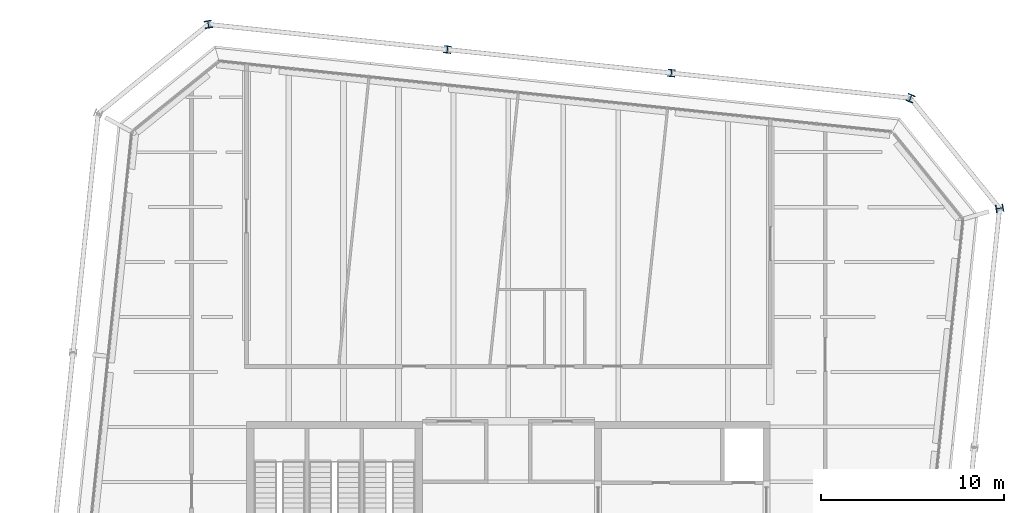
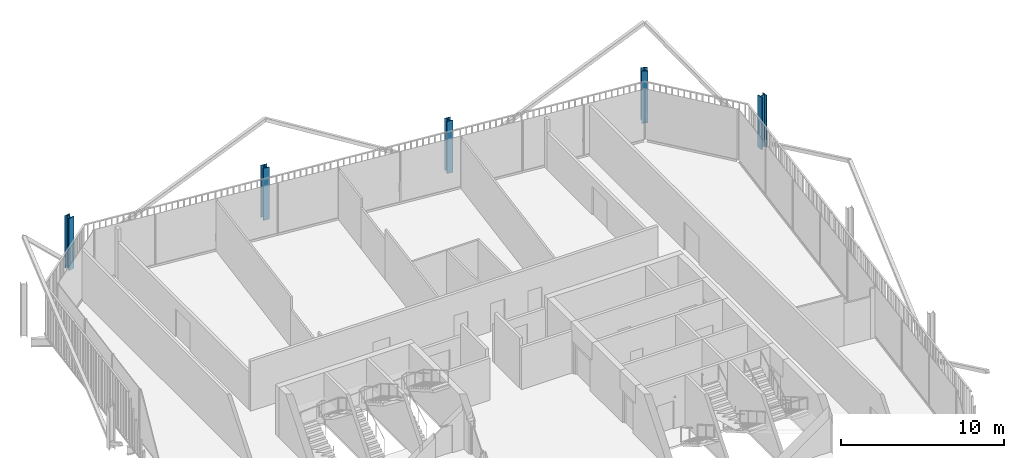
# One storey, part 2 of 21: 5 columns.
"""IFC4 building model written with IfcOpenShell, lengths in metres."""

import ifcopenshell
import ifcopenshell.guid

model = None  # the IFC model being written
_history = None  # IfcOwnerHistory: only IFC2X3 demands one
_inside = {}  # id of a spatial element -> (the spatial element, [elements in it])
_under = {}  # id of a project, library or spatial element -> (it, [spatial elements below it])
_declared = {}  # id of a project -> (the project, [libraries it declares])
_typed = {}  # id of a type object -> (the type object, [elements of that type])
_made_of = {}  # id of a material, layer set ... -> (it, [elements and type objects made of it])


def new_model(schema):
    """Start an empty IFC model of exactly this schema.

    Asked for "IFC4X3", IfcOpenShell would pick the latest addendum, in which some entities
    have other attributes; the version numbers below select the first issue.
    IFC2X3 requires an IfcOwnerHistory on every rooted entity: one is made here for all.
    """
    global model, _history
    if schema == "IFC4X3":
        model = ifcopenshell.file(schema_version=(4, 3, 0, 0))
    else:
        model = ifcopenshell.file(schema=schema)
    _inside.clear()
    _under.clear()
    _declared.clear()
    _typed.clear()
    _made_of.clear()
    _history = None
    if model.schema == "IFC2X3":
        org = make("IfcOrganization", Name="unknown")
        user = make(
            "IfcPersonAndOrganization",
            ThePerson=make("IfcPerson", FamilyName="unknown"),
            TheOrganization=org,
        )
        app = make(
            "IfcApplication",
            ApplicationDeveloper=org,
            Version="unknown",
            ApplicationFullName="unknown",
            ApplicationIdentifier="unknown",
        )
        _history = make(
            "IfcOwnerHistory",
            OwningUser=user,
            OwningApplication=app,
            ChangeAction="ADDED",
            CreationDate=0,
        )
    return model


def make(cls, **values):
    """One entity of the class cls with the attributes given. An attribute that is None is left unset."""
    return model.create_entity(
        cls, **{name: value for name, value in values.items() if value is not None}
    )


def rooted(cls, **values):
    """An entity with a GlobalId (a new one), such as an element, a storey or a relation."""
    return make(cls, GlobalId=ifcopenshell.guid.new(), OwnerHistory=_history, **values)


def si_unit(unit_type, name, prefix=None):
    """IfcSIUnit, for example si_unit("LENGTHUNIT", "METRE", prefix="MILLI")."""
    return make("IfcSIUnit", UnitType=unit_type, Prefix=prefix, Name=name)


def assignment(units):
    """IfcUnitAssignment: the units of a project."""
    return None if units is None else make("IfcUnitAssignment", Units=units)


def point(xyz):
    """IfcCartesianPoint."""
    return None if xyz is None else make("IfcCartesianPoint", Coordinates=xyz)


def direction(xyz):
    """IfcDirection."""
    return None if xyz is None else make("IfcDirection", DirectionRatios=xyz)


def frame(location, z_axis=None, x_axis=None):
    """IfcAxis2Placement3D, a coordinate frame: its origin and axes. An axis left out is left unset."""
    return make(
        "IfcAxis2Placement3D",
        Location=point(location),
        Axis=direction(z_axis),
        RefDirection=direction(x_axis),
    )


def frame_2d(location, x_axis=None):
    """IfcAxis2Placement2D, a coordinate frame in the plane: its origin and x axis."""
    return make(
        "IfcAxis2Placement2D", Location=point(location), RefDirection=direction(x_axis)
    )


def origin():
    """The frame at (0, 0, 0) with its axes left unset."""
    return frame((0.0, 0.0, 0.0))


def origin_2d():
    """The frame at (0, 0) in the plane with its x axis left unset."""
    return frame_2d((0.0, 0.0))


def place(relative_to, where):
    """IfcLocalPlacement: puts the frame where relative to a parent placement (None: the world)."""
    return make(
        "IfcLocalPlacement", PlacementRelTo=relative_to, RelativePlacement=where
    )


def context(
    kind, dimensions, precision=None, world=None, true_north=None, identifier=None
):
    """IfcGeometricRepresentationContext, for example the 3D "Model" context."""
    return make(
        "IfcGeometricRepresentationContext",
        ContextIdentifier=identifier,
        ContextType=kind,
        CoordinateSpaceDimension=dimensions,
        Precision=precision,
        WorldCoordinateSystem=world,
        TrueNorth=true_north,
    )


def subcontext(parent, identifier, kind, view, scale=None):
    """IfcGeometricRepresentationSubContext, for example "Body" below "Model"."""
    return make(
        "IfcGeometricRepresentationSubContext",
        ContextIdentifier=identifier,
        ContextType=kind,
        ParentContext=parent,
        TargetScale=scale,
        TargetView=view,
    )


def project(units=None, contexts=None):
    """IfcProject with its units and contexts."""
    return rooted(
        "IfcProject",
        Name="project",
        RepresentationContexts=contexts,
        UnitsInContext=assignment(units),
    )


def spatial(cls, under=None, at=None, **own):
    """A site, building, storey or space (cls), placed at a placement, below another one or the project."""
    s = rooted(cls, ObjectPlacement=at, **own)
    if under is not None:
        _under.setdefault(under.id(), (under, []))[1].append(s)
    return s


def profile(cls, at=None, kind="AREA", **sizes):
    """A parametric profile (cls). Its sizes go by their IFC names, for example OverallWidth=200.0."""
    return make(cls, ProfileType=kind, Position=at, **sizes)


def i_section(**sizes):
    """IfcIShapeProfileDef."""
    return profile("IfcIShapeProfileDef", **sizes)


def extrude(swept, where, along, depth):
    """IfcExtrudedAreaSolid: the profile swept, set in the frame where, extruded along a direction by depth."""
    return make(
        "IfcExtrudedAreaSolid",
        SweptArea=swept,
        Position=where,
        ExtrudedDirection=direction(along),
        Depth=depth,
    )


def shape(context_of_items, identifier, shape_type, items):
    """IfcShapeRepresentation: the items that make up one representation, for example the "Body"."""
    return make(
        "IfcShapeRepresentation",
        ContextOfItems=context_of_items,
        RepresentationIdentifier=identifier,
        RepresentationType=shape_type,
        Items=items,
    )


def material(Name=None, Category=None):
    """IfcMaterial."""
    return make("IfcMaterial", Name=Name, Category=Category)


def material_profile(
    of_material, cross_section, Name=None, Category=None, Priority=None
):
    """IfcMaterialProfile: a cross section and its material."""
    return make(
        "IfcMaterialProfile",
        Name=Name,
        Material=of_material,
        Profile=cross_section,
        Priority=Priority,
        Category=Category,
    )


def profile_set(profiles, Name=None, composite=None):
    """IfcMaterialProfileSet."""
    return make(
        "IfcMaterialProfileSet",
        Name=Name,
        MaterialProfiles=profiles,
        CompositeProfile=composite,
    )


def made_of(thing, what):
    """Note that an element or type object is made of a material, layer set ...; save() writes the relation."""
    if what is not None:
        _made_of.setdefault(what.id(), (what, []))[1].append(thing)
    return thing


def type_object(cls, material=None, **own):
    """A type object (cls), such as IfcWallType, which elements share."""
    return made_of(rooted(cls, **own), material)


def element(
    cls,
    number,
    at=None,
    inside=None,
    cuts=None,
    type_object=None,
    material=None,
    context=None,
    identifier="Body",
    shape_type=None,
    held_by="IfcProductDefinitionShape",
    body=None,
    shapes=None,
    **own,
):
    """One element of the class cls, such as IfcWall. Its Tag is "e" and its number.

    at: its placement. inside: the storey or other place that contains it. cuts: it is an
    opening in that element (IfcRelVoidsElement). A single representation is given by context,
    identifier, shape_type and body (its items); several are given by shapes. held_by: the class
    of the entity that holds the representations. save() writes the other relations.
    """
    e = rooted(cls, Tag="e%d" % number, ObjectPlacement=at, **own)
    if body is not None:
        shapes = [shape(context, identifier, shape_type, body)]
    if shapes is not None:
        e.Representation = make(held_by, Representations=shapes)
    if inside is not None:
        _inside.setdefault(inside.id(), (inside, []))[1].append(e)
    if cuts is not None:
        rooted(
            "IfcRelVoidsElement", RelatingBuildingElement=cuts, RelatedOpeningElement=e
        )
    if type_object is not None:
        _typed.setdefault(type_object.id(), (type_object, []))[1].append(e)
    return made_of(e, material)


def aggregate(whole, parts):
    """IfcRelAggregates: a whole, such as a stair, and the parts it consists of."""
    return rooted("IfcRelAggregates", RelatingObject=whole, RelatedObjects=parts)


def save(model, path):
    """Write the relations noted so far, then the file.

    IfcRelAggregates (storeys below a building ...), IfcRelContainedInSpatialStructure (elements
    in a storey), IfcRelDefinesByType, IfcRelAssociatesMaterial and IfcRelDeclares: one each for
    every whole, place, type object, material and project.
    """
    for whole, parts in _under.values():
        aggregate(whole, parts)
    for where, things in _inside.values():
        rooted(
            "IfcRelContainedInSpatialStructure",
            RelatedElements=things,
            RelatingStructure=where,
        )
    for kind, things in _typed.values():
        rooted("IfcRelDefinesByType", RelatedObjects=things, RelatingType=kind)
    for what, things in _made_of.values():
        rooted("IfcRelAssociatesMaterial", RelatedObjects=things, RelatingMaterial=what)
    for by, libraries in _declared.values():
        rooted("IfcRelDeclares", RelatingContext=by, RelatedDefinitions=libraries)
    model.write(path)


model = new_model("IFC4")

# Units and contexts
model_context = context("Model", 3, precision=1e-05, world=origin(), true_north=direction((0.0, 1.0)))
body_context = subcontext(model_context, "Body", "Model", "MODEL_VIEW")
ifc_project = project(units=[si_unit("LENGTHUNIT", "METRE"), si_unit("AREAUNIT", "SQUARE_METRE"), si_unit("VOLUMEUNIT", "CUBIC_METRE"), si_unit("PLANEANGLEUNIT", "RADIAN"), si_unit("MASSUNIT", "GRAM", prefix="KILO")], contexts=[model_context])

# Site, building, storey
site_placement = place(None, origin())
site = spatial("IfcSite", under=ifc_project, at=site_placement, CompositionType="ELEMENT")
building_placement = place(site_placement, origin())
building = spatial("IfcBuilding", under=site, at=building_placement, Name="Millrace Tower", CompositionType="ELEMENT")
storey_placement = place(building_placement, frame((0.0, 0.0, 276.0)))
storey = spatial("IfcBuildingStorey", under=building, at=storey_placement, Name="L63", CompositionType="ELEMENT", Elevation=276.0)

# Columns
ifc_material_1 = material(Name="Steel ASTM A913 Grade 65", Category="steel")
ifc_material_profile_1 = material_profile(ifc_material_1, i_section(OverallWidth=0.4013671875, OverallDepth=0.398681640625, WebThickness=0.02490234375, FlangeThickness=0.03955078125, FilletRadius=0.01513671875, at=origin_2d()))
ifc_profile_set_1 = profile_set([ifc_material_profile_1], Name="Steel ASTM A913 Grade 65")
column_type_1 = type_object("IfcColumnType", Name="Exoskeleton column W14x211", PredefinedType="COLUMN", material=ifc_profile_set_1)
for number, where, z_axis, x_axis, name in (
    (1, (8.9033203125, 28.321533203125, 0.0), (0.0, 0.0, 1.0), (-0.994521897246, 0.104528445407, 0.0), "COL-E-L63-X11"),
    (2, (-3.329345703125, 29.607177734375, 0.0), (0.0, 0.0, 1.0), (-0.994521897246, 0.104528445407, 0.0), "COL-E-L63-X12"),
):
    element("IfcColumn", number, at=place(storey_placement, frame(where, z_axis=z_axis, x_axis=x_axis)), inside=storey, type_object=column_type_1, Name=name, PredefinedType="COLUMN", context=body_context, shape_type="SweptSolid", body=[
        extrude(i_section(OverallWidth=0.4013671875, OverallDepth=0.398681640625, WebThickness=0.02490234375, FlangeThickness=0.03955078125, FilletRadius=0.01513671875, at=origin_2d()), origin(), (0.0, 0.0, 1.0), 3.89990234375),
    ])
ifc_material_2 = material(Name="Steel ASTM A913 Grade 65", Category="steel")
ifc_material_profile_2 = material_profile(ifc_material_2, i_section(OverallWidth=0.406494140625, OverallDepth=0.41650390625, WebThickness=0.030029296875, FlangeThickness=0.048095703125, FilletRadius=0.01513671875, at=origin_2d()))
ifc_profile_set_2 = profile_set([ifc_material_profile_2], Name="Steel ASTM A913 Grade 65")
column_type_2 = type_object("IfcColumnType", Name="Exoskeleton column W14x257", PredefinedType="COLUMN", material=ifc_profile_set_2)
for number, where, z_axis, x_axis, name in (
    (3, (26.82958984375, 20.935791015625, 0.0), (0.0, 0.0, 1.0), (-0.18038747256, 0.983595628164, 0.0), "COL-E-L63-X09"),
    (4, (21.9599609375, 26.94921875, 0.0), (0.0, 0.0, 1.0), (-0.92459700658, 0.380946683176, 0.0), "COL-E-L63-X10"),
    (5, (-16.3857421875, 30.9794921875, 0.0), (0.0, 0.0, 1.0), (-0.983595628164, -0.18038747256, 0.0), "COL-E-L63-X13"),
):
    element("IfcColumn", number, at=place(storey_placement, frame(where, z_axis=z_axis, x_axis=x_axis)), inside=storey, type_object=column_type_2, Name=name, PredefinedType="COLUMN", context=body_context, shape_type="SweptSolid", body=[
        extrude(i_section(OverallWidth=0.406494140625, OverallDepth=0.41650390625, WebThickness=0.030029296875, FlangeThickness=0.048095703125, FilletRadius=0.01513671875, at=origin_2d()), origin(), (0.0, 0.0, 1.0), 3.89990234375),
    ])

save(model, "model.ifc")
